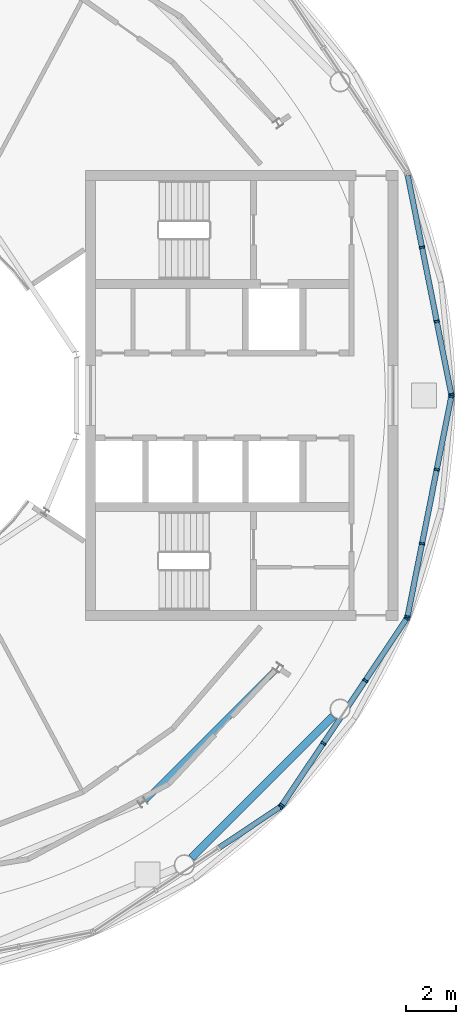
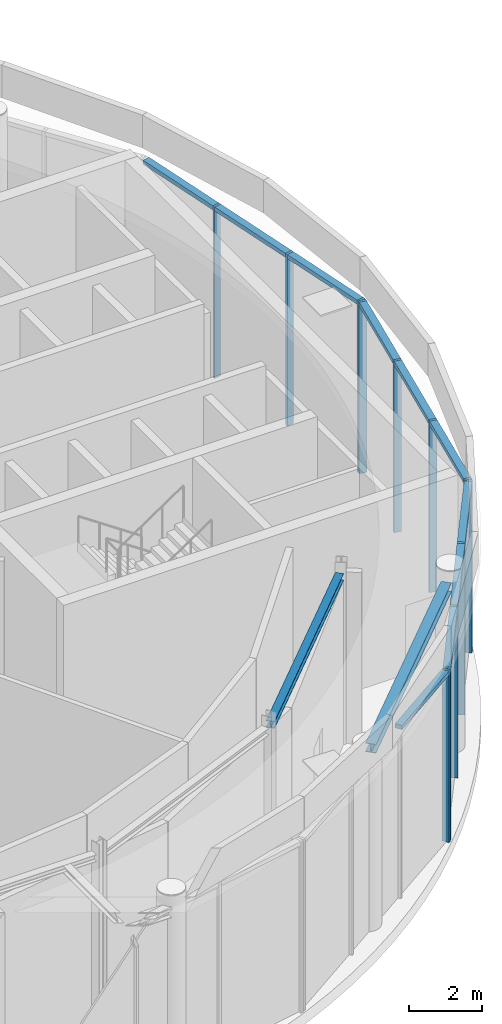
# One storey, part 7 of 20: 22 members, 2 beams, 4 elements without a shape of their own.
"""IFC4 building model written with IfcOpenShell, lengths in metres."""

from ifc_helpers import new_model, si_unit, direction, frame, origin, origin_2d, place, context, subcontext, project, spatial, rectangle, i_section, extrude, material, layer, layer_set, material_profile, profile_set, type_object, element, aggregate, save


model = new_model("IFC4")

# Units and contexts
model_context = context("Model", 3, precision=1e-05, world=origin(), true_north=direction((0.0, 1.0)))
body_context = subcontext(model_context, "Body", "Model", "MODEL_VIEW")
ifc_project = project(units=[si_unit("LENGTHUNIT", "METRE"), si_unit("AREAUNIT", "SQUARE_METRE"), si_unit("VOLUMEUNIT", "CUBIC_METRE"), si_unit("PLANEANGLEUNIT", "RADIAN"), si_unit("MASSUNIT", "GRAM", prefix="KILO")], contexts=[model_context])

# Site, building, storey
site_placement = place(None, origin())
site = spatial("IfcSite", under=ifc_project, at=site_placement, CompositionType="ELEMENT")
building_placement = place(site_placement, origin())
building = spatial("IfcBuilding", under=site, at=building_placement, Name="Maasbend Ring Residences", CompositionType="ELEMENT")
storey_placement = place(building_placement, frame((0.0, 0.0, 255.39990234375)))
storey = spatial("IfcBuildingStorey", under=building, at=storey_placement, Name="L74", CompositionType="ELEMENT", Elevation=255.39990234375)

# Curtain wall, members
ifc_material_1 = material(Name="Aluminium and clear glass", Category="aluminium")
ifc_layer = layer(ifc_material_1, 0.219970703125)
ifc_layer_set = layer_set([ifc_layer], Name="CW-OB")
curtain_wall_type = type_object("IfcCurtainWallType", Name="CW-OB", PredefinedType="NOTDEFINED", material=ifc_layer_set)
curtain_wall_1_placement = place(storey_placement, origin())
curtain_wall_1 = element("IfcCurtainWall", 1, at=curtain_wall_1_placement, inside=storey, type_object=curtain_wall_type, Name="Observation deck curtain wall 01", PredefinedType="NOTDEFINED")
ifc_material_2 = material(Name="Aluminium 6063-T6", Category="aluminium")
ifc_material_profile_1 = material_profile(ifc_material_2, rectangle(XDim=0.219970703125, YDim=0.080078125, at=origin_2d()), Name="AL 220x80")
ifc_profile_set_1 = profile_set([ifc_material_profile_1], Name="Aluminium 6063-T6")
member_type_1 = type_object("IfcMemberType", Name="CWM-OB", PredefinedType="MULLION", material=ifc_profile_set_1)
member_1_placement = place(storey_placement, frame((23.2421875, 0.039306640625, 0.0), z_axis=(0.0, 0.0, 1.0), x_axis=(-0.980785280403, -0.195090322016, 0.0)))
member_1 = element("IfcMember", 2, at=member_1_placement, type_object=member_type_1, Name="Mullion observation deck", PredefinedType="MULLION", context=body_context, shape_type="SweptSolid", body=[
    extrude(rectangle(XDim=0.219970703125, YDim=0.080078125, at=origin_2d()), origin(), (0.0, 0.0, 1.0), 5.75),
])
member_2_placement = place(storey_placement, frame((22.66015625, 2.9658203125, 0.0), z_axis=(0.0, 0.0, 1.0), x_axis=(-0.980785280403, -0.195090322016, 0.0)))
member_2 = element("IfcMember", 3, at=member_2_placement, type_object=member_type_1, Name="Mullion observation deck", PredefinedType="MULLION", context=body_context, shape_type="SweptSolid", body=[
    extrude(rectangle(XDim=0.219970703125, YDim=0.080078125, at=origin_2d()), origin(), (0.0, 0.0, 1.0), 5.75),
])
member_3_placement = place(storey_placement, frame((22.070068359375, 5.931640625, 0.0), z_axis=(0.0, 0.0, 1.0), x_axis=(-0.980785280403, -0.195090322016, 0.0)))
member_3 = element("IfcMember", 4, at=member_3_placement, type_object=member_type_1, Name="Mullion observation deck", PredefinedType="MULLION", context=body_context, shape_type="SweptSolid", body=[
    extrude(rectangle(XDim=0.219970703125, YDim=0.080078125, at=origin_2d()), origin(), (0.0, 0.0, 1.0), 5.75),
])

# Curtain wall, member
curtain_wall_2_placement = place(storey_placement, origin())
curtain_wall_2 = element("IfcCurtainWall", 5, at=curtain_wall_2_placement, inside=storey, type_object=curtain_wall_type, Name="Observation deck curtain wall 14", PredefinedType="NOTDEFINED")
member_4_placement = place(storey_placement, frame((16.406982421875, -16.46240234375, 0.0), z_axis=(0.0, 0.0, 1.0), x_axis=(-0.55557023302, 0.831469612303, 0.0)))
member_4 = element("IfcMember", 6, at=member_4_placement, type_object=member_type_1, Name="Mullion observation deck", PredefinedType="MULLION", context=body_context, shape_type="SweptSolid", body=[
    extrude(rectangle(XDim=0.219970703125, YDim=0.080078125, at=origin_2d()), origin(), (0.0, 0.0, 1.0), 5.75),
])

# Curtain wall, members
curtain_wall_3_placement = place(storey_placement, origin())
curtain_wall_3 = element("IfcCurtainWall", 7, at=curtain_wall_3_placement, inside=storey, type_object=curtain_wall_type, Name="Observation deck curtain wall 15", PredefinedType="NOTDEFINED")
member_5_placement = place(storey_placement, frame((16.46240234375, -16.406982421875, 0.0), z_axis=(0.0, 0.0, 1.0), x_axis=(-0.831469612303, 0.55557023302, 0.0)))
member_5 = element("IfcMember", 8, at=member_5_placement, type_object=member_type_1, Name="Mullion observation deck", PredefinedType="MULLION", context=body_context, shape_type="SweptSolid", body=[
    extrude(rectangle(XDim=0.219970703125, YDim=0.080078125, at=origin_2d()), origin(), (0.0, 0.0, 1.0), 5.75),
])
member_6_placement = place(storey_placement, frame((18.1201171875, -13.926025390625, 0.0), z_axis=(0.0, 0.0, 1.0), x_axis=(-0.831469612303, 0.55557023302, 0.0)))
member_6 = element("IfcMember", 9, at=member_6_placement, type_object=member_type_1, Name="Mullion observation deck", PredefinedType="MULLION", context=body_context, shape_type="SweptSolid", body=[
    extrude(rectangle(XDim=0.219970703125, YDim=0.080078125, at=origin_2d()), origin(), (0.0, 0.0, 1.0), 5.75),
])
member_7_placement = place(storey_placement, frame((19.80029296875, -11.41162109375, 0.0), z_axis=(0.0, 0.0, 1.0), x_axis=(-0.831469612303, 0.55557023302, 0.0)))
member_7 = element("IfcMember", 10, at=member_7_placement, type_object=member_type_1, Name="Mullion observation deck", PredefinedType="MULLION", context=body_context, shape_type="SweptSolid", body=[
    extrude(rectangle(XDim=0.219970703125, YDim=0.080078125, at=origin_2d()), origin(), (0.0, 0.0, 1.0), 5.75),
])
member_8_placement = place(storey_placement, frame((21.4580078125, -8.9306640625, 0.0), z_axis=(0.0, 0.0, 1.0), x_axis=(-0.831469612303, 0.55557023302, 0.0)))
member_8 = element("IfcMember", 11, at=member_8_placement, type_object=member_type_1, Name="Mullion observation deck", PredefinedType="MULLION", context=body_context, shape_type="SweptSolid", body=[
    extrude(rectangle(XDim=0.219970703125, YDim=0.080078125, at=origin_2d()), origin(), (0.0, 0.0, 1.0), 5.75),
])

curtain_wall_4_placement = place(storey_placement, origin())
curtain_wall_4 = element("IfcCurtainWall", 12, at=curtain_wall_4_placement, inside=storey, type_object=curtain_wall_type, Name="Observation deck curtain wall 16", PredefinedType="NOTDEFINED")
member_9_placement = place(storey_placement, frame((21.488037109375, -8.858154296875, 0.0), z_axis=(0.0, 0.0, 1.0), x_axis=(-0.980785280403, 0.195090322016, 0.0)))
member_9 = element("IfcMember", 13, at=member_9_placement, type_object=member_type_1, Name="Mullion observation deck", PredefinedType="MULLION", context=body_context, shape_type="SweptSolid", body=[
    extrude(rectangle(XDim=0.219970703125, YDim=0.080078125, at=origin_2d()), origin(), (0.0, 0.0, 1.0), 5.75),
])
member_10_placement = place(storey_placement, frame((22.070068359375, -5.931640625, 0.0), z_axis=(0.0, 0.0, 1.0), x_axis=(-0.980785280403, 0.195090322016, 0.0)))
member_10 = element("IfcMember", 14, at=member_10_placement, type_object=member_type_1, Name="Mullion observation deck", PredefinedType="MULLION", context=body_context, shape_type="SweptSolid", body=[
    extrude(rectangle(XDim=0.219970703125, YDim=0.080078125, at=origin_2d()), origin(), (0.0, 0.0, 1.0), 5.75),
])
member_11_placement = place(storey_placement, frame((22.66015625, -2.9658203125, 0.0), z_axis=(0.0, 0.0, 1.0), x_axis=(-0.980785280403, 0.195090322016, 0.0)))
member_11 = element("IfcMember", 15, at=member_11_placement, type_object=member_type_1, Name="Mullion observation deck", PredefinedType="MULLION", context=body_context, shape_type="SweptSolid", body=[
    extrude(rectangle(XDim=0.219970703125, YDim=0.080078125, at=origin_2d()), origin(), (0.0, 0.0, 1.0), 5.75),
])
member_12_placement = place(storey_placement, frame((23.2421875, -0.039306640625, 0.0), z_axis=(0.0, 0.0, 1.0), x_axis=(-0.980785280403, 0.195090322016, 0.0)))
member_12 = element("IfcMember", 16, at=member_12_placement, type_object=member_type_1, Name="Mullion observation deck", PredefinedType="MULLION", context=body_context, shape_type="SweptSolid", body=[
    extrude(rectangle(XDim=0.219970703125, YDim=0.080078125, at=origin_2d()), origin(), (0.0, 0.0, 1.0), 5.75),
])

# Member
ifc_material_3 = material(Name="Aluminium 6063-T6", Category="aluminium")
ifc_material_profile_2 = material_profile(ifc_material_3, rectangle(XDim=0.219970703125, YDim=0.139892578125, at=origin_2d()), Name="AL 220x140")
ifc_profile_set_2 = profile_set([ifc_material_profile_2], Name="Aluminium 6063-T6")
member_type_2 = type_object("IfcMemberType", Name="CWT-OB", PredefinedType="USERDEFINED", material=ifc_profile_set_2)
member_13_placement = place(storey_placement, frame((23.234375, 0.078369140625, 5.68017578125), z_axis=(-0.195048940926, 0.980793510706, 0.0), x_axis=(-0.980793510706, -0.195048940926, 0.0)))
member_13 = element("IfcMember", 17, at=member_13_placement, type_object=member_type_2, Name="Transom observation deck", ObjectType="TRANSOM", PredefinedType="USERDEFINED", context=body_context, shape_type="SweptSolid", body=[
    extrude(rectangle(XDim=0.219970703125, YDim=0.139892578125, at=origin_2d()), origin(), (0.0, 0.0, 1.0), 2.90380859375),
])

member_14_placement = place(storey_placement, frame((22.65234375, 3.005126953125, 5.68017578125), z_axis=(-0.195143161693, 0.980774768458, 0.0), x_axis=(-0.980774768458, -0.195143161693, 0.0)))
member_14 = element("IfcMember", 18, at=member_14_placement, type_object=member_type_2, Name="Transom observation deck", ObjectType="TRANSOM", PredefinedType="USERDEFINED", context=body_context, shape_type="SweptSolid", body=[
    extrude(rectangle(XDim=0.219970703125, YDim=0.139892578125, at=origin_2d()), origin(), (0.0, 0.0, 1.0), 2.94384765625),
])

member_15_placement = place(storey_placement, frame((22.062255859375, 5.970703125, 5.68017578125), z_axis=(-0.195048940926, 0.980793510706, 0.0), x_axis=(-0.980793510706, -0.195048940926, 0.0)))
member_15 = element("IfcMember", 19, at=member_15_placement, type_object=member_type_2, Name="Transom observation deck", ObjectType="TRANSOM", PredefinedType="USERDEFINED", context=body_context, shape_type="SweptSolid", body=[
    extrude(rectangle(XDim=0.219970703125, YDim=0.139892578125, at=origin_2d()), origin(), (0.0, 0.0, 1.0), 2.90380859375),
])

aggregate(curtain_wall_1, [member_1, member_2, member_3, member_13, member_14, member_15])

member_16_placement = place(storey_placement, frame((13.959228515625, -18.097900390625, 5.68017578125), z_axis=(0.831480747717, 0.555553567332, 0.0), x_axis=(-0.555553567332, 0.831480747717, 0.0)))
member_16 = element("IfcMember", 20, at=member_16_placement, type_object=member_type_2, Name="Transom observation deck", ObjectType="TRANSOM", PredefinedType="USERDEFINED", context=body_context, shape_type="SweptSolid", body=[
    extrude(rectangle(XDim=0.219970703125, YDim=0.139892578125, at=origin_2d()), origin(), (0.0, 0.0, 1.0), 2.90380859375),
])

aggregate(curtain_wall_2, [member_4, member_16])

member_17_placement = place(storey_placement, frame((16.484619140625, -16.373779296875, 5.68017578125), z_axis=(0.555553567332, 0.831480747717, 0.0), x_axis=(-0.831480747717, 0.555553567332, 0.0)))
member_17 = element("IfcMember", 21, at=member_17_placement, type_object=member_type_2, Name="Transom observation deck", ObjectType="TRANSOM", PredefinedType="USERDEFINED", context=body_context, shape_type="SweptSolid", body=[
    extrude(rectangle(XDim=0.219970703125, YDim=0.139892578125, at=origin_2d()), origin(), (0.0, 0.0, 1.0), 2.90380859375),
])

member_18_placement = place(storey_placement, frame((18.142333984375, -13.892578125, 5.68017578125), z_axis=(0.555618446659, 0.831437394956, 0.0), x_axis=(-0.831437394956, 0.555618446659, 0.0)))
member_18 = element("IfcMember", 22, at=member_18_placement, type_object=member_type_2, Name="Transom observation deck", ObjectType="TRANSOM", PredefinedType="USERDEFINED", context=body_context, shape_type="SweptSolid", body=[
    extrude(rectangle(XDim=0.219970703125, YDim=0.139892578125, at=origin_2d()), origin(), (0.0, 0.0, 1.0), 2.944091796875),
])

member_19_placement = place(storey_placement, frame((19.822509765625, -11.37841796875, 5.68017578125), z_axis=(0.555553567332, 0.831480747717, 0.0), x_axis=(-0.831480747717, 0.555553567332, 0.0)))
member_19 = element("IfcMember", 23, at=member_19_placement, type_object=member_type_2, Name="Transom observation deck", ObjectType="TRANSOM", PredefinedType="USERDEFINED", context=body_context, shape_type="SweptSolid", body=[
    extrude(rectangle(XDim=0.219970703125, YDim=0.139892578125, at=origin_2d()), origin(), (0.0, 0.0, 1.0), 2.90380859375),
])

aggregate(curtain_wall_3, [member_5, member_6, member_7, member_8, member_17, member_18, member_19])

member_20_placement = place(storey_placement, frame((21.495849609375, -8.81884765625, 5.68017578125), z_axis=(0.195048940926, 0.980793510706, 0.0), x_axis=(-0.980793510706, 0.195048940926, 0.0)))
member_20 = element("IfcMember", 24, at=member_20_placement, type_object=member_type_2, Name="Transom observation deck", ObjectType="TRANSOM", PredefinedType="USERDEFINED", context=body_context, shape_type="SweptSolid", body=[
    extrude(rectangle(XDim=0.219970703125, YDim=0.139892578125, at=origin_2d()), origin(), (0.0, 0.0, 1.0), 2.90380859375),
])

member_21_placement = place(storey_placement, frame((22.077880859375, -5.892333984375, 5.68017578125), z_axis=(0.195143161693, 0.980774768458, 0.0), x_axis=(-0.980774768458, 0.195143161693, 0.0)))
member_21 = element("IfcMember", 25, at=member_21_placement, type_object=member_type_2, Name="Transom observation deck", ObjectType="TRANSOM", PredefinedType="USERDEFINED", context=body_context, shape_type="SweptSolid", body=[
    extrude(rectangle(XDim=0.219970703125, YDim=0.139892578125, at=origin_2d()), origin(), (0.0, 0.0, 1.0), 2.94384765625),
])

member_22_placement = place(storey_placement, frame((22.66796875, -2.926513671875, 5.68017578125), z_axis=(0.195048940926, 0.980793510706, 0.0), x_axis=(-0.980793510706, 0.195048940926, 0.0)))
member_22 = element("IfcMember", 26, at=member_22_placement, type_object=member_type_2, Name="Transom observation deck", ObjectType="TRANSOM", PredefinedType="USERDEFINED", context=body_context, shape_type="SweptSolid", body=[
    extrude(rectangle(XDim=0.219970703125, YDim=0.139892578125, at=origin_2d()), origin(), (0.0, 0.0, 1.0), 2.90380859375),
])

aggregate(curtain_wall_4, [member_9, member_10, member_11, member_12, member_20, member_21, member_22])

# Beams
ifc_material_4 = material(Name="Steel S355J2", Category="steel")
ifc_material_profile_3 = material_profile(ifc_material_4, i_section(OverallWidth=0.239990234375, OverallDepth=0.22998046875, WebThickness=0.007568359375, FlangeThickness=0.011962890625, FilletRadius=0.02099609375, at=origin_2d()), Name="HEA 240")
ifc_profile_set_3 = profile_set([ifc_material_profile_3], Name="Steel S355J2")
beam_type_1 = type_object("IfcBeamType", Name="Corridor ring beam HEA 240", PredefinedType="BEAM", material=ifc_profile_set_3)
beam_1_placement = place(storey_placement, frame((10.997314453125, -16.188720703125, 5.635009765625), z_axis=(0.707106781187, 0.707106781187, 0.0), x_axis=(-0.707106781187, 0.707106781187, 0.0)))
element("IfcBeam", 27, at=beam_1_placement, inside=storey, type_object=beam_type_1, Name="Corridor ring beam", PredefinedType="BEAM", context=body_context, shape_type="SweptSolid", body=[
    extrude(i_section(OverallWidth=0.239990234375, OverallDepth=0.22998046875, WebThickness=0.007568359375, FlangeThickness=0.011962890625, FilletRadius=0.02099609375, at=origin_2d()), origin(), (0.0, 0.0, 1.0), 7.341796875),
])
ifc_material_5 = material(Name="Steel S355J2", Category="steel")
ifc_material_profile_4 = material_profile(ifc_material_5, i_section(OverallWidth=0.300048828125, OverallDepth=0.300048828125, WebThickness=0.010986328125, FlangeThickness=0.01904296875, FilletRadius=0.027099609375, at=origin_2d()), Name="HEB 300")
ifc_profile_set_4 = profile_set([ifc_material_profile_4], Name="Steel S355J2")
beam_type_2 = type_object("IfcBeamType", Name="Spandrel ring beam HEB 300", PredefinedType="SPANDREL", material=ifc_profile_set_4)
beam_2_placement = place(storey_placement, frame((12.84326171875, -18.50390625, 5.60009765625), z_axis=(0.707106781187, 0.707106781187, 0.0), x_axis=(-0.707106781187, 0.707106781187, 0.0)))
element("IfcBeam", 28, at=beam_2_placement, inside=storey, type_object=beam_type_2, Name="Spandrel ring beam", PredefinedType="SPANDREL", context=body_context, shape_type="SweptSolid", body=[
    extrude(i_section(OverallWidth=0.300048828125, OverallDepth=0.300048828125, WebThickness=0.010986328125, FlangeThickness=0.01904296875, FilletRadius=0.027099609375, at=origin_2d()), origin(), (0.0, 0.0, 1.0), 8.00537109375),
])

save(model, "model.ifc")
